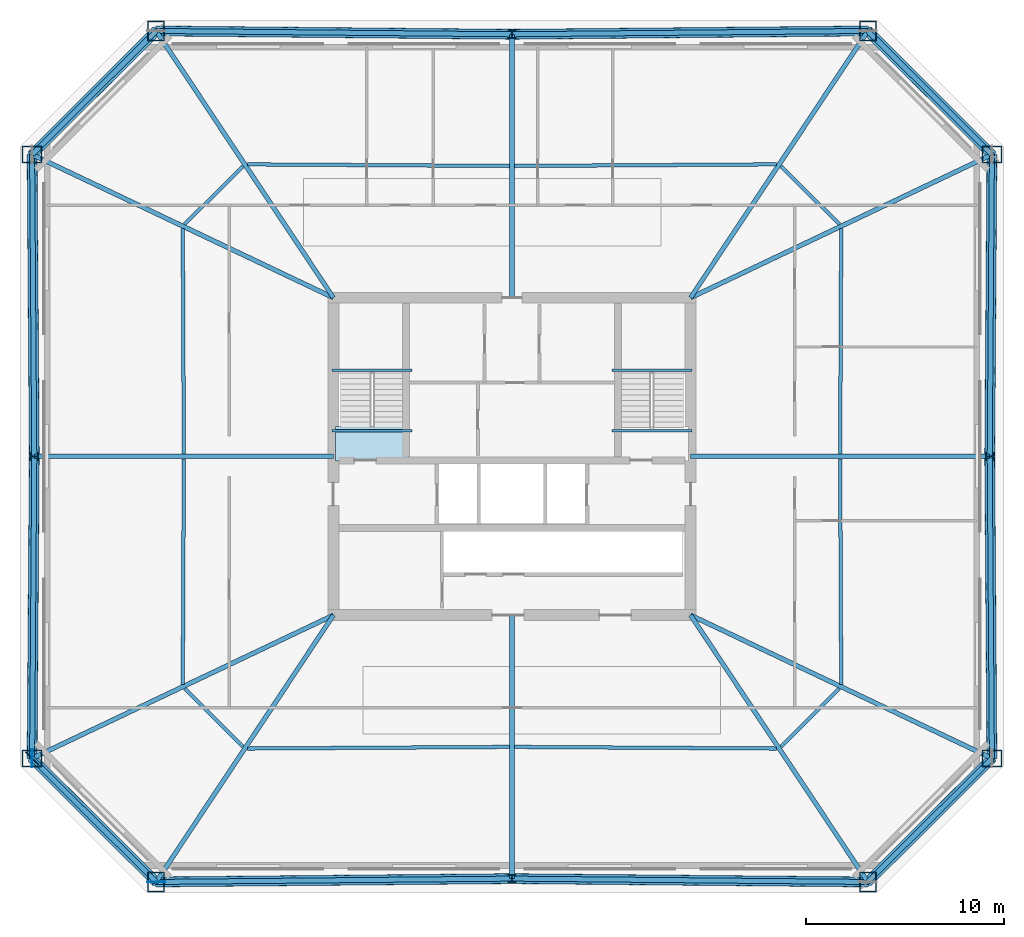
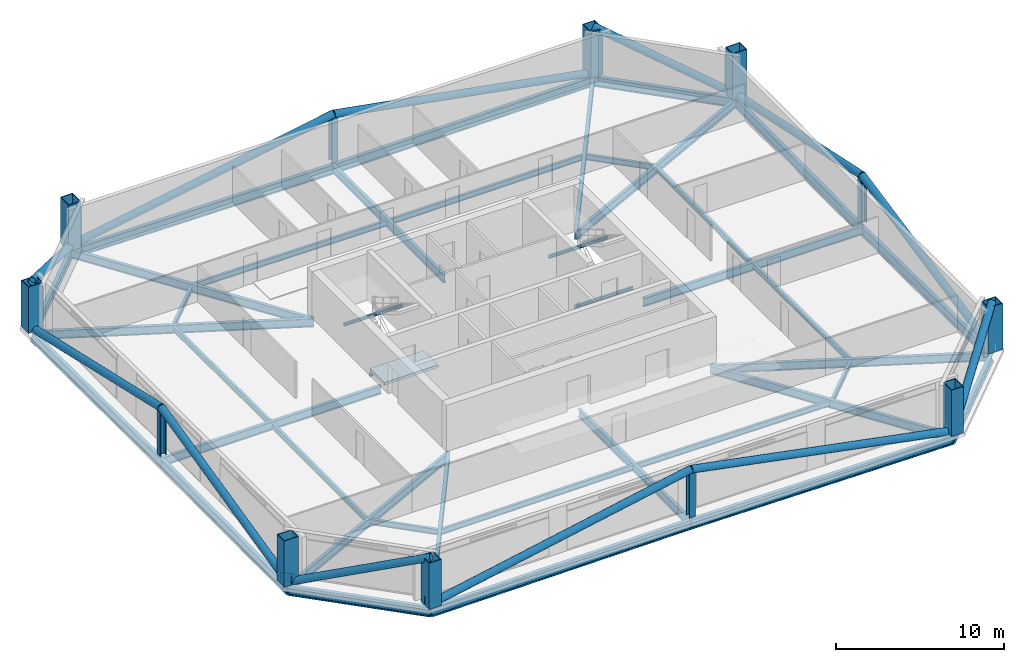
# One storey, part 1 of 6: 40 beams, 12 columns, 12 members, 3 plates, 1 slab, 1 element without a shape of its own.
"""IFC4 building model written with IfcOpenShell, lengths in metres."""

from ifc_helpers import new_model, si_unit, direction, frame, origin, origin_2d, place, context, subcontext, project, spatial, polyline, rectangle, hollow_rectangle, hollow_circle, i_section, outline, extrude, material, layer, layer_set, material_profile, profile_set, type_object, element, aggregate, save


model = new_model("IFC4")

# Units and contexts
model_context = context("Model", 3, precision=1e-05, world=origin(), true_north=direction((0.0, 1.0)))
body_context = subcontext(model_context, "Body", "Model", "MODEL_VIEW")
ifc_project = project(units=[si_unit("LENGTHUNIT", "METRE"), si_unit("AREAUNIT", "SQUARE_METRE"), si_unit("VOLUMEUNIT", "CUBIC_METRE"), si_unit("PLANEANGLEUNIT", "RADIAN"), si_unit("MASSUNIT", "GRAM", prefix="KILO")], contexts=[model_context])

# Site, building, storey
site_placement = place(None, origin())
site = spatial("IfcSite", under=ifc_project, at=site_placement, CompositionType="ELEMENT")
building_placement = place(site_placement, origin())
building = spatial("IfcBuilding", under=site, at=building_placement, Name="Caelvoria Tower", CompositionType="ELEMENT")
storey_placement = place(building_placement, frame((0.0, 0.0, 160.0)))
storey = spatial("IfcBuildingStorey", under=building, at=storey_placement, Name="L42", CompositionType="ELEMENT", Elevation=160.0)

# Columns
ifc_material_1 = material(Name="Structural Steel ASTM A572 Gr.50", Category="steel")
ifc_material_profile_1 = material_profile(ifc_material_1, hollow_rectangle(XDim=0.85009765625, YDim=1.0, WallThickness=0.050048828125, at=origin_2d()), Name="Structural Steel ASTM A572 Gr.50")
ifc_profile_set_1 = profile_set([ifc_material_profile_1], Name="BOX1000X850X50 - Structural Steel ASTM A572 Gr.50")
column_type_1 = type_object("IfcColumnType", Name="Mega Box Column 1000x850x50", PredefinedType="COLUMN", material=ifc_profile_set_1)
for number, where, z_axis, x_axis, name in (
    (1, (28.06201171875, 10.55224609375, 0.0), (0.0, 0.0, 1.0), (1.0, 0.0, 0.0), "Perimeter Megaframe Column L42-P00"),
    (2, (63.93798828125, 10.55224609375, 0.0), (0.0, 0.0, 1.0), (1.0, 0.0, 0.0), "Perimeter Megaframe Column L42-P02"),
    (3, (70.1904296875, 16.783447265625, 0.0), (0.0, 0.0, 1.0), (0.0, 1.0, 0.0), "Perimeter Megaframe Column L42-P03"),
    (4, (70.1904296875, 47.216552734375, 0.0), (0.0, 0.0, 1.0), (0.0, 1.0, 0.0), "Perimeter Megaframe Column L42-P05"),
    (5, (63.93798828125, 53.44775390625, 0.0), (0.0, 0.0, 1.0), (1.0, 0.0, 0.0), "Perimeter Megaframe Column L42-P06"),
    (6, (28.06201171875, 53.44775390625, 0.0), (0.0, 0.0, 1.0), (1.0, 0.0, 0.0), "Perimeter Megaframe Column L42-P08"),
    (7, (21.8095703125, 47.216552734375, 0.0), (0.0, 0.0, 1.0), (0.0, 1.0, 0.0), "Perimeter Megaframe Column L42-P09"),
    (8, (21.8095703125, 16.783447265625, 0.0), (0.0, 0.0, 1.0), (0.0, 1.0, 0.0), "Perimeter Megaframe Column L42-P11"),
):
    element("IfcColumn", number, at=place(storey_placement, frame(where, z_axis=z_axis, x_axis=x_axis)), inside=storey, type_object=column_type_1, Name=name, PredefinedType="COLUMN", context=body_context, shape_type="SweptSolid", body=[
        extrude(hollow_rectangle(XDim=0.85009765625, YDim=1.0, WallThickness=0.050048828125, at=origin_2d()), origin(), (0.0, 0.0, 1.0), 3.35791015625),
    ])
ifc_material_2 = material(Name="Structural Steel ASTM A992 Gr.50", Category="steel")
ifc_material_profile_2 = material_profile(ifc_material_2, i_section(OverallWidth=0.406005859375, OverallDepth=0.425048828125, WebThickness=0.03271484375, FlangeThickness=0.052490234375, FilletRadius=0.02490234375, at=origin_2d()), Name="Structural Steel ASTM A992 Gr.50")
ifc_profile_set_2 = profile_set([ifc_material_profile_2], Name="W360X421 - Structural Steel ASTM A992 Gr.50")
column_type_2 = type_object("IfcColumnType", Name="Mid Frame Column W360X421", PredefinedType="COLUMN", material=ifc_profile_set_2)
for number, where, z_axis, x_axis, name in (
    (9, (46.0, 10.719970703125, 0.0), (0.0, 0.0, 1.0), (1.0, 0.0, 0.0), "Perimeter Megaframe Column L42-P01"),
    (10, (70.080078125, 32.0, 0.0), (0.0, 0.0, 1.0), (0.0, 1.0, 0.0), "Perimeter Megaframe Column L42-P04"),
    (11, (46.0, 53.280029296875, 0.0), (0.0, 0.0, 1.0), (1.0, 0.0, 0.0), "Perimeter Megaframe Column L42-P07"),
    (12, (21.919921875, 32.0, 0.0), (0.0, 0.0, 1.0), (0.0, 1.0, 0.0), "Perimeter Megaframe Column L42-P10"),
):
    element("IfcColumn", number, at=place(storey_placement, frame(where, z_axis=z_axis, x_axis=x_axis)), inside=storey, type_object=column_type_2, Name=name, PredefinedType="COLUMN", context=body_context, shape_type="SweptSolid", body=[
        extrude(i_section(OverallWidth=0.406005859375, OverallDepth=0.425048828125, WebThickness=0.03271484375, FlangeThickness=0.052490234375, FilletRadius=0.02490234375, at=origin_2d()), origin(), (0.0, 0.0, 1.0), 3.35791015625),
    ])

# Beams
ifc_material_profile_3 = material_profile(ifc_material_2, i_section(OverallWidth=0.134033203125, OverallDepth=0.2099609375, WebThickness=0.00634765625, FlangeThickness=0.01025390625, FilletRadius=0.010009765625, at=origin_2d()), Name="Structural Steel ASTM A992 Gr.50")
ifc_profile_set_3 = profile_set([ifc_material_profile_3], Name="W200X31.3 - Structural Steel ASTM A992 Gr.50")
beam_type_1 = type_object("IfcBeamType", Name="Canopy Edge Trim Beam W200X31.3", PredefinedType="BEAM", material=ifc_profile_set_3)
for number, where, z_axis, x_axis, name in (
    (13, (36.929931640625, 36.35009765625, 1.4951171875), (1.0, 0.0, 0.0), (0.0, 1.0, 0.0), "ST-01 Half-Landing Support Beam L42"),
    (14, (36.929931640625, 33.300048828125, -0.304931640625), (1.0, 0.0, 0.0), (0.0, 1.0, 0.0), "ST-01 Floor-Landing Support Beam L42"),
    (15, (51.030029296875, 36.35009765625, 1.4951171875), (1.0, 0.0, 0.0), (0.0, 1.0, 0.0), "ST-02 Half-Landing Support Beam L42"),
    (16, (51.030029296875, 33.300048828125, -0.304931640625), (1.0, 0.0, 0.0), (0.0, 1.0, 0.0), "ST-02 Floor-Landing Support Beam L42"),
):
    element("IfcBeam", number, at=place(storey_placement, frame(where, z_axis=z_axis, x_axis=x_axis)), inside=storey, type_object=beam_type_1, Name=name, PredefinedType="BEAM", context=body_context, shape_type="SweptSolid", body=[
        extrude(i_section(OverallWidth=0.134033203125, OverallDepth=0.2099609375, WebThickness=0.00634765625, FlangeThickness=0.01025390625, FilletRadius=0.010009765625, at=origin_2d()), origin(), (0.0, 0.0, 1.0), 4.0400390625),
    ])

# Members
ifc_material_profile_4 = material_profile(ifc_material_1, hollow_circle(Radius=0.25390625, WallThickness=0.02001953125, at=origin_2d()), Name="Structural Steel ASTM A572 Gr.50")
ifc_profile_set_4 = profile_set([ifc_material_profile_4], Name="CHS508X20 - Structural Steel ASTM A572 Gr.50")
member_type = type_object("IfcMemberType", Name="Mid Perimeter Mega Brace CHS508X20", PredefinedType="BRACE", material=ifc_profile_set_4)
for number, where, z_axis, x_axis, name in (
    (17, (63.93798828125, 10.55224609375, 0.0), (0.66197243748, 0.659723643959, 0.355748795667), (-0.705902655948, 0.708308859415, 0.0), "Perimeter Chamfer Mega Brace L42 SE"),
    (18, (70.1904296875, 47.216552734375, 0.0), (-0.66197243748, 0.659723643959, 0.355748795667), (-0.705902655948, -0.708308859415, 0.0), "Perimeter Chamfer Mega Brace L42 NE"),
    (19, (28.06201171875, 53.44775390625, 0.0), (-0.66197243748, -0.659723643959, 0.355748795667), (0.705902655948, -0.708308859415, 0.0), "Perimeter Chamfer Mega Brace L42 NW"),
    (20, (21.8095703125, 16.783447265625, 0.0), (0.66197243748, -0.659723643959, 0.355748795667), (0.705902655948, 0.708308859415, 0.0), "Perimeter Chamfer Mega Brace L42 SW"),
):
    element("IfcMember", number, at=place(storey_placement, frame(where, z_axis=z_axis, x_axis=x_axis)), inside=storey, type_object=member_type, Name=name, PredefinedType="BRACE", context=body_context, shape_type="SweptSolid", body=[
        extrude(hollow_circle(Radius=0.25390625, WallThickness=0.02001953125, at=origin_2d()), origin(), (0.0, 0.0, 1.0), 9.445068359375),
    ])
for number, where, z_axis, x_axis, name in (
    (21, (28.06201171875, 10.55224609375, 0.0), (0.982863073698, 0.009190011863, 0.184107908693), (-0.00934983764, 0.999956289313, 0.0), "Perimeter Cardinal Mega Brace L42 SA"),
    (22, (63.93798828125, 10.55224609375, 0.0), (-0.982863073698, 0.009190011863, 0.184107908693), (-0.00934983764, -0.999956289313, 0.0), "Perimeter Cardinal Mega Brace L42 SB"),
):
    element("IfcMember", number, at=place(storey_placement, frame(where, z_axis=z_axis, x_axis=x_axis)), inside=storey, type_object=member_type, Name=name, PredefinedType="BRACE", context=body_context, shape_type="SweptSolid", body=[
        extrude(hollow_circle(Radius=0.25390625, WallThickness=0.02001953125, at=origin_2d()), origin(), (0.0, 0.0, 1.0), 18.250732421875),
    ])
for number, where, z_axis, x_axis, name in (
    (23, (70.1904296875, 16.783447265625, 0.0), (-0.007081300602, 0.97645182002, 0.215619336707), (-0.99997370475, -0.007251883045, 0.0), "Perimeter Cardinal Mega Brace L42 EA"),
    (24, (70.1904296875, 47.216552734375, 0.0), (-0.007081300602, -0.97645182002, 0.215619336707), (0.99997370475, -0.007251883045, 0.0), "Perimeter Cardinal Mega Brace L42 EB"),
):
    element("IfcMember", number, at=place(storey_placement, frame(where, z_axis=z_axis, x_axis=x_axis)), inside=storey, type_object=member_type, Name=name, PredefinedType="BRACE", context=body_context, shape_type="SweptSolid", body=[
        extrude(hollow_circle(Radius=0.25390625, WallThickness=0.02001953125, at=origin_2d()), origin(), (0.0, 0.0, 1.0), 15.58349609375),
    ])
for number, where, z_axis, x_axis, name in (
    (25, (63.93798828125, 53.44775390625, 0.0), (-0.982863073698, -0.009190011863, 0.184107908693), (0.00934983764, -0.999956289313, 0.0), "Perimeter Cardinal Mega Brace L42 NA"),
    (26, (28.06201171875, 53.44775390625, 0.0), (0.982863073698, -0.009190011863, 0.184107908693), (0.00934983764, 0.999956289313, 0.0), "Perimeter Cardinal Mega Brace L42 NB"),
):
    element("IfcMember", number, at=place(storey_placement, frame(where, z_axis=z_axis, x_axis=x_axis)), inside=storey, type_object=member_type, Name=name, PredefinedType="BRACE", context=body_context, shape_type="SweptSolid", body=[
        extrude(hollow_circle(Radius=0.25390625, WallThickness=0.02001953125, at=origin_2d()), origin(), (0.0, 0.0, 1.0), 18.250732421875),
    ])
for number, where, z_axis, x_axis, name in (
    (27, (21.8095703125, 47.216552734375, 0.0), (0.007081300602, -0.97645182002, 0.215619336707), (0.99997370475, 0.007251883045, 0.0), "Perimeter Cardinal Mega Brace L42 WA"),
    (28, (21.8095703125, 16.783447265625, 0.0), (0.007081300602, 0.97645182002, 0.215619336707), (-0.99997370475, 0.007251883045, 0.0), "Perimeter Cardinal Mega Brace L42 WB"),
):
    element("IfcMember", number, at=place(storey_placement, frame(where, z_axis=z_axis, x_axis=x_axis)), inside=storey, type_object=member_type, Name=name, PredefinedType="BRACE", context=body_context, shape_type="SweptSolid", body=[
        extrude(hollow_circle(Radius=0.25390625, WallThickness=0.02001953125, at=origin_2d()), origin(), (0.0, 0.0, 1.0), 15.58349609375),
    ])

# Beams
ifc_material_profile_5 = material_profile(ifc_material_2, i_section(OverallWidth=0.25390625, OverallDepth=0.68798828125, WebThickness=0.01318359375, FlangeThickness=0.02099609375, FilletRadius=0.01904296875, at=origin_2d()), Name="Structural Steel ASTM A992 Gr.50")
ifc_profile_set_5 = profile_set([ifc_material_profile_5], Name="W690X152 - Structural Steel ASTM A992 Gr.50")
beam_type_2 = type_object("IfcBeamType", Name="Perimeter Spandrel Girder W690X152", PredefinedType="BEAM", material=ifc_profile_set_5)
for number, where, z_axis, x_axis, name in (
    (29, (28.06201171875, 10.55224609375, -0.583984375), (0.999956289313, 0.00934983764, 0.0), (-0.00934983764, 0.999956289313, 0.0), "Perimeter Spandrel Girder L42-00"),
    (30, (46.0, 10.719970703125, -0.583984375), (0.999956289313, -0.00934983764, 0.0), (0.00934983764, 0.999956289313, 0.0), "Perimeter Spandrel Girder L42-01"),
):
    element("IfcBeam", number, at=place(storey_placement, frame(where, z_axis=z_axis, x_axis=x_axis)), inside=storey, type_object=beam_type_2, Name=name, PredefinedType="BEAM", context=body_context, shape_type="SweptSolid", body=[
        extrude(i_section(OverallWidth=0.25390625, OverallDepth=0.68798828125, WebThickness=0.01318359375, FlangeThickness=0.02099609375, FilletRadius=0.01904296875, at=origin_2d()), origin(), (0.0, 0.0, 1.0), 17.938720703125),
    ])
beam_1_placement = place(storey_placement, frame((63.93798828125, 10.55224609375, -0.583984375), z_axis=(0.708308859415, 0.705902655948, 0.0), x_axis=(-0.705902655948, 0.708308859415, 0.0)))
element("IfcBeam", 31, at=beam_1_placement, inside=storey, type_object=beam_type_2, Name="Perimeter Spandrel Girder L42-02", PredefinedType="BEAM", context=body_context, shape_type="SweptSolid", body=[
    extrude(i_section(OverallWidth=0.25390625, OverallDepth=0.68798828125, WebThickness=0.01318359375, FlangeThickness=0.02099609375, FilletRadius=0.01904296875, at=origin_2d()), origin(), (0.0, 0.0, 1.0), 8.827392578125),
])
for number, where, z_axis, x_axis, name in (
    (32, (70.1904296875, 16.783447265625, -0.583984375), (-0.007251883045, 0.99997370475, 0.0), (-0.99997370475, -0.007251883045, 0.0), "Perimeter Spandrel Girder L42-03"),
    (33, (70.080078125, 32.0, -0.583984375), (0.007251883045, 0.99997370475, 0.0), (-0.99997370475, 0.007251883045, 0.0), "Perimeter Spandrel Girder L42-04"),
):
    element("IfcBeam", number, at=place(storey_placement, frame(where, z_axis=z_axis, x_axis=x_axis)), inside=storey, type_object=beam_type_2, Name=name, PredefinedType="BEAM", context=body_context, shape_type="SweptSolid", body=[
        extrude(i_section(OverallWidth=0.25390625, OverallDepth=0.68798828125, WebThickness=0.01318359375, FlangeThickness=0.02099609375, FilletRadius=0.01904296875, at=origin_2d()), origin(), (0.0, 0.0, 1.0), 15.217041015625),
    ])
beam_2_placement = place(storey_placement, frame((70.1904296875, 47.216552734375, -0.583984375), z_axis=(-0.708308859415, 0.705902655948, 0.0), x_axis=(-0.705902655948, -0.708308859415, 0.0)))
element("IfcBeam", 34, at=beam_2_placement, inside=storey, type_object=beam_type_2, Name="Perimeter Spandrel Girder L42-05", PredefinedType="BEAM", context=body_context, shape_type="SweptSolid", body=[
    extrude(i_section(OverallWidth=0.25390625, OverallDepth=0.68798828125, WebThickness=0.01318359375, FlangeThickness=0.02099609375, FilletRadius=0.01904296875, at=origin_2d()), origin(), (0.0, 0.0, 1.0), 8.827392578125),
])
for number, where, z_axis, x_axis, name in (
    (35, (63.93798828125, 53.44775390625, -0.583984375), (-0.999956289313, -0.00934983764, 0.0), (0.00934983764, -0.999956289313, 0.0), "Perimeter Spandrel Girder L42-06"),
    (36, (46.0, 53.280029296875, -0.583984375), (-0.999956289313, 0.00934983764, 0.0), (-0.00934983764, -0.999956289313, 0.0), "Perimeter Spandrel Girder L42-07"),
):
    element("IfcBeam", number, at=place(storey_placement, frame(where, z_axis=z_axis, x_axis=x_axis)), inside=storey, type_object=beam_type_2, Name=name, PredefinedType="BEAM", context=body_context, shape_type="SweptSolid", body=[
        extrude(i_section(OverallWidth=0.25390625, OverallDepth=0.68798828125, WebThickness=0.01318359375, FlangeThickness=0.02099609375, FilletRadius=0.01904296875, at=origin_2d()), origin(), (0.0, 0.0, 1.0), 17.938720703125),
    ])
beam_3_placement = place(storey_placement, frame((28.06201171875, 53.44775390625, -0.583984375), z_axis=(-0.708308859415, -0.705902655948, 0.0), x_axis=(0.705902655948, -0.708308859415, 0.0)))
element("IfcBeam", 37, at=beam_3_placement, inside=storey, type_object=beam_type_2, Name="Perimeter Spandrel Girder L42-08", PredefinedType="BEAM", context=body_context, shape_type="SweptSolid", body=[
    extrude(i_section(OverallWidth=0.25390625, OverallDepth=0.68798828125, WebThickness=0.01318359375, FlangeThickness=0.02099609375, FilletRadius=0.01904296875, at=origin_2d()), origin(), (0.0, 0.0, 1.0), 8.827392578125),
])
for number, where, z_axis, x_axis, name in (
    (38, (21.8095703125, 47.216552734375, -0.583984375), (0.007251883045, -0.99997370475, 0.0), (0.99997370475, 0.007251883045, 0.0), "Perimeter Spandrel Girder L42-09"),
    (39, (21.919921875, 32.0, -0.583984375), (-0.007251883045, -0.99997370475, 0.0), (0.99997370475, -0.007251883045, 0.0), "Perimeter Spandrel Girder L42-10"),
):
    element("IfcBeam", number, at=place(storey_placement, frame(where, z_axis=z_axis, x_axis=x_axis)), inside=storey, type_object=beam_type_2, Name=name, PredefinedType="BEAM", context=body_context, shape_type="SweptSolid", body=[
        extrude(i_section(OverallWidth=0.25390625, OverallDepth=0.68798828125, WebThickness=0.01318359375, FlangeThickness=0.02099609375, FilletRadius=0.01904296875, at=origin_2d()), origin(), (0.0, 0.0, 1.0), 15.217041015625),
    ])
beam_4_placement = place(storey_placement, frame((21.8095703125, 16.783447265625, -0.583984375), z_axis=(0.708308859415, -0.705902655948, 0.0), x_axis=(0.705902655948, 0.708308859415, 0.0)))
element("IfcBeam", 40, at=beam_4_placement, inside=storey, type_object=beam_type_2, Name="Perimeter Spandrel Girder L42-11", PredefinedType="BEAM", context=body_context, shape_type="SweptSolid", body=[
    extrude(i_section(OverallWidth=0.25390625, OverallDepth=0.68798828125, WebThickness=0.01318359375, FlangeThickness=0.02099609375, FilletRadius=0.01904296875, at=origin_2d()), origin(), (0.0, 0.0, 1.0), 8.827392578125),
])
ifc_material_profile_6 = material_profile(ifc_material_2, i_section(OverallWidth=0.22802734375, OverallDepth=0.60302734375, WebThickness=0.010498046875, FlangeThickness=0.014892578125, FilletRadius=0.01806640625, at=origin_2d()), Name="Structural Steel ASTM A992 Gr.50")
ifc_profile_set_6 = profile_set([ifc_material_profile_6], Name="W610X101 - Structural Steel ASTM A992 Gr.50")
beam_type_3 = type_object("IfcBeamType", Name="Primary Floor Girder W610X101", PredefinedType="BEAM", material=ifc_profile_set_6)
beam_5_placement = place(storey_placement, frame((37.0, 24.0, -0.54150390625), z_axis=(-0.553534267867, -0.832826401056, 0.0), x_axis=(0.832826401056, -0.553534267867, 0.0)))
element("IfcBeam", 41, at=beam_5_placement, inside=storey, type_object=beam_type_3, Name="Primary Floor Girder L42-00", PredefinedType="BEAM", context=body_context, shape_type="SweptSolid", body=[
    extrude(i_section(OverallWidth=0.22802734375, OverallDepth=0.60302734375, WebThickness=0.010498046875, FlangeThickness=0.014892578125, FilletRadius=0.01806640625, at=origin_2d()), origin(), (0.0, 0.0, 1.0), 16.147216796875),
])
beam_6_placement = place(storey_placement, frame((46.0, 24.0, -0.54150390625), z_axis=(0.0, -1.0, 0.0), x_axis=(1.0, 0.0, 0.0)))
element("IfcBeam", 42, at=beam_6_placement, inside=storey, type_object=beam_type_3, Name="Primary Floor Girder L42-01", PredefinedType="BEAM", context=body_context, shape_type="SweptSolid", body=[
    extrude(i_section(OverallWidth=0.22802734375, OverallDepth=0.60302734375, WebThickness=0.010498046875, FlangeThickness=0.014892578125, FilletRadius=0.01806640625, at=origin_2d()), origin(), (0.0, 0.0, 1.0), 13.280029296875),
])
beam_7_placement = place(storey_placement, frame((55.0, 24.0, -0.54150390625), z_axis=(0.553534267867, -0.832826401056, 0.0), x_axis=(0.832826401056, 0.553534267867, 0.0)))
element("IfcBeam", 43, at=beam_7_placement, inside=storey, type_object=beam_type_3, Name="Primary Floor Girder L42-02", PredefinedType="BEAM", context=body_context, shape_type="SweptSolid", body=[
    extrude(i_section(OverallWidth=0.22802734375, OverallDepth=0.60302734375, WebThickness=0.010498046875, FlangeThickness=0.014892578125, FilletRadius=0.01806640625, at=origin_2d()), origin(), (0.0, 0.0, 1.0), 16.147216796875),
])
beam_8_placement = place(storey_placement, frame((55.0, 24.0, -0.54150390625), z_axis=(0.903252184891, -0.429110114645, 0.0), x_axis=(0.429110114645, 0.903252184891, 0.0)))
element("IfcBeam", 44, at=beam_8_placement, inside=storey, type_object=beam_type_3, Name="Primary Floor Girder L42-03", PredefinedType="BEAM", context=body_context, shape_type="SweptSolid", body=[
    extrude(i_section(OverallWidth=0.22802734375, OverallDepth=0.60302734375, WebThickness=0.010498046875, FlangeThickness=0.014892578125, FilletRadius=0.01806640625, at=origin_2d()), origin(), (0.0, 0.0, 1.0), 16.8173828125),
])
beam_9_placement = place(storey_placement, frame((55.0, 32.0, -0.54150390625), z_axis=(1.0, 0.0, 0.0), x_axis=(0.0, 1.0, 0.0)))
element("IfcBeam", 45, at=beam_9_placement, inside=storey, type_object=beam_type_3, Name="Primary Floor Girder L42-04", PredefinedType="BEAM", context=body_context, shape_type="SweptSolid", body=[
    extrude(i_section(OverallWidth=0.22802734375, OverallDepth=0.60302734375, WebThickness=0.010498046875, FlangeThickness=0.014892578125, FilletRadius=0.01806640625, at=origin_2d()), origin(), (0.0, 0.0, 1.0), 15.080078125),
])
beam_10_placement = place(storey_placement, frame((55.0, 40.0, -0.54150390625), z_axis=(0.903252184891, 0.429110114645, 0.0), x_axis=(-0.429110114645, 0.903252184891, 0.0)))
element("IfcBeam", 46, at=beam_10_placement, inside=storey, type_object=beam_type_3, Name="Primary Floor Girder L42-05", PredefinedType="BEAM", context=body_context, shape_type="SweptSolid", body=[
    extrude(i_section(OverallWidth=0.22802734375, OverallDepth=0.60302734375, WebThickness=0.010498046875, FlangeThickness=0.014892578125, FilletRadius=0.01806640625, at=origin_2d()), origin(), (0.0, 0.0, 1.0), 16.8173828125),
])
beam_11_placement = place(storey_placement, frame((55.0, 40.0, -0.54150390625), z_axis=(0.553534267867, 0.832826401056, 0.0), x_axis=(-0.832826401056, 0.553534267867, 0.0)))
element("IfcBeam", 47, at=beam_11_placement, inside=storey, type_object=beam_type_3, Name="Primary Floor Girder L42-06", PredefinedType="BEAM", context=body_context, shape_type="SweptSolid", body=[
    extrude(i_section(OverallWidth=0.22802734375, OverallDepth=0.60302734375, WebThickness=0.010498046875, FlangeThickness=0.014892578125, FilletRadius=0.01806640625, at=origin_2d()), origin(), (0.0, 0.0, 1.0), 16.147216796875),
])
beam_12_placement = place(storey_placement, frame((46.0, 40.0, -0.54150390625), z_axis=(0.0, 1.0, 0.0), x_axis=(-1.0, 0.0, 0.0)))
element("IfcBeam", 48, at=beam_12_placement, inside=storey, type_object=beam_type_3, Name="Primary Floor Girder L42-07", PredefinedType="BEAM", context=body_context, shape_type="SweptSolid", body=[
    extrude(i_section(OverallWidth=0.22802734375, OverallDepth=0.60302734375, WebThickness=0.010498046875, FlangeThickness=0.014892578125, FilletRadius=0.01806640625, at=origin_2d()), origin(), (0.0, 0.0, 1.0), 13.280029296875),
])
beam_13_placement = place(storey_placement, frame((37.0, 40.0, -0.54150390625), z_axis=(-0.553534267867, 0.832826401056, 0.0), x_axis=(-0.832826401056, -0.553534267867, 0.0)))
element("IfcBeam", 49, at=beam_13_placement, inside=storey, type_object=beam_type_3, Name="Primary Floor Girder L42-08", PredefinedType="BEAM", context=body_context, shape_type="SweptSolid", body=[
    extrude(i_section(OverallWidth=0.22802734375, OverallDepth=0.60302734375, WebThickness=0.010498046875, FlangeThickness=0.014892578125, FilletRadius=0.01806640625, at=origin_2d()), origin(), (0.0, 0.0, 1.0), 16.147216796875),
])
beam_14_placement = place(storey_placement, frame((37.0, 40.0, -0.54150390625), z_axis=(-0.903252184891, 0.429110114645, 0.0), x_axis=(-0.429110114645, -0.903252184891, 0.0)))
element("IfcBeam", 50, at=beam_14_placement, inside=storey, type_object=beam_type_3, Name="Primary Floor Girder L42-09", PredefinedType="BEAM", context=body_context, shape_type="SweptSolid", body=[
    extrude(i_section(OverallWidth=0.22802734375, OverallDepth=0.60302734375, WebThickness=0.010498046875, FlangeThickness=0.014892578125, FilletRadius=0.01806640625, at=origin_2d()), origin(), (0.0, 0.0, 1.0), 16.8173828125),
])
beam_15_placement = place(storey_placement, frame((37.0, 32.0, -0.54150390625), z_axis=(-1.0, 0.0, 0.0), x_axis=(0.0, -1.0, 0.0)))
element("IfcBeam", 51, at=beam_15_placement, inside=storey, type_object=beam_type_3, Name="Primary Floor Girder L42-10", PredefinedType="BEAM", context=body_context, shape_type="SweptSolid", body=[
    extrude(i_section(OverallWidth=0.22802734375, OverallDepth=0.60302734375, WebThickness=0.010498046875, FlangeThickness=0.014892578125, FilletRadius=0.01806640625, at=origin_2d()), origin(), (0.0, 0.0, 1.0), 15.080078125),
])
beam_16_placement = place(storey_placement, frame((37.0, 24.0, -0.54150390625), z_axis=(-0.903252184891, -0.429110114645, 0.0), x_axis=(0.429110114645, -0.903252184891, 0.0)))
element("IfcBeam", 52, at=beam_16_placement, inside=storey, type_object=beam_type_3, Name="Primary Floor Girder L42-11", PredefinedType="BEAM", context=body_context, shape_type="SweptSolid", body=[
    extrude(i_section(OverallWidth=0.22802734375, OverallDepth=0.60302734375, WebThickness=0.010498046875, FlangeThickness=0.014892578125, FilletRadius=0.01806640625, at=origin_2d()), origin(), (0.0, 0.0, 1.0), 16.8173828125),
])
ifc_material_profile_7 = material_profile(ifc_material_2, i_section(OverallWidth=0.177978515625, OverallDepth=0.406982421875, WebThickness=0.0078125, FlangeThickness=0.0126953125, FilletRadius=0.013916015625, at=origin_2d()), Name="Structural Steel ASTM A992 Gr.50")
ifc_profile_set_7 = profile_set([ifc_material_profile_7], Name="W410X60 - Structural Steel ASTM A992 Gr.50")
beam_type_4 = type_object("IfcBeamType", Name="Secondary Floor Beam W410X60", PredefinedType="BEAM", material=ifc_profile_set_7)
for number, where, z_axis, x_axis, name in (
    (53, (32.656005859375, 17.277099609375, -0.443603515625), (0.999980746074, 0.006205439665, 0.0), (-0.006205439665, 0.999980746074, 0.0), "Secondary Floor Beam L42-00"),
    (54, (46.125, 17.359130859375, -0.443603515625), (0.999980746074, -0.006205439665, 0.0), (0.006205439665, 0.999980746074, 0.0), "Secondary Floor Beam L42-01"),
):
    element("IfcBeam", number, at=place(storey_placement, frame(where, z_axis=z_axis, x_axis=x_axis)), inside=storey, type_object=beam_type_4, Name=name, PredefinedType="BEAM", context=body_context, shape_type="SweptSolid", body=[
        extrude(i_section(OverallWidth=0.177978515625, OverallDepth=0.406982421875, WebThickness=0.0078125, FlangeThickness=0.0126953125, FilletRadius=0.013916015625, at=origin_2d()), origin(), (0.0, 0.0, 1.0), 13.21923828125),
    ])
beam_17_placement = place(storey_placement, frame((59.5576171875, 17.364501953125, -0.443603515625), z_axis=(0.708337089703, 0.705874328299, 0.0), x_axis=(-0.705874328299, 0.708337089703, 0.0)))
element("IfcBeam", 55, at=beam_17_placement, inside=storey, type_object=beam_type_4, Name="Secondary Floor Beam L42-02", PredefinedType="BEAM", context=body_context, shape_type="SweptSolid", body=[
    extrude(i_section(OverallWidth=0.177978515625, OverallDepth=0.406982421875, WebThickness=0.0078125, FlangeThickness=0.0126953125, FilletRadius=0.013916015625, at=origin_2d()), origin(), (0.0, 0.0, 1.0), 4.16357421875),
])
for number, where, z_axis, x_axis, name in (
    (56, (62.5947265625, 20.5166015625, -0.443603515625), (-0.004771676396, 0.999988615487, 0.0), (-0.999988615487, -0.004771676396, 0.0), "Secondary Floor Beam L42-03"),
    (57, (62.54052734375, 32.125, -0.443603515625), (0.004771676396, 0.999988615487, 0.0), (-0.999988615487, 0.004771676396, 0.0), "Secondary Floor Beam L42-04"),
):
    element("IfcBeam", number, at=place(storey_placement, frame(where, z_axis=z_axis, x_axis=x_axis)), inside=storey, type_object=beam_type_4, Name=name, PredefinedType="BEAM", context=body_context, shape_type="SweptSolid", body=[
        extrude(i_section(OverallWidth=0.177978515625, OverallDepth=0.406982421875, WebThickness=0.0078125, FlangeThickness=0.0126953125, FilletRadius=0.013916015625, at=origin_2d()), origin(), (0.0, 0.0, 1.0), 11.358642578125),
    ])
beam_18_placement = place(storey_placement, frame((62.5068359375, 43.696533203125, -0.443603515625), z_axis=(-0.708337089703, 0.705874328299, 0.0), x_axis=(-0.705874328299, -0.708337089703, 0.0)))
element("IfcBeam", 58, at=beam_18_placement, inside=storey, type_object=beam_type_4, Name="Secondary Floor Beam L42-05", PredefinedType="BEAM", context=body_context, shape_type="SweptSolid", body=[
    extrude(i_section(OverallWidth=0.177978515625, OverallDepth=0.406982421875, WebThickness=0.0078125, FlangeThickness=0.0126953125, FilletRadius=0.013916015625, at=origin_2d()), origin(), (0.0, 0.0, 1.0), 4.16357421875),
])
for number, where, z_axis, x_axis, name in (
    (59, (59.343994140625, 46.722900390625, -0.443603515625), (-0.999980746074, -0.006205439665, 0.0), (0.006205439665, -0.999980746074, 0.0), "Secondary Floor Beam L42-06"),
    (60, (45.875, 46.640869140625, -0.443603515625), (-0.999980746074, 0.006205439665, 0.0), (-0.006205439665, -0.999980746074, 0.0), "Secondary Floor Beam L42-07"),
):
    element("IfcBeam", number, at=place(storey_placement, frame(where, z_axis=z_axis, x_axis=x_axis)), inside=storey, type_object=beam_type_4, Name=name, PredefinedType="BEAM", context=body_context, shape_type="SweptSolid", body=[
        extrude(i_section(OverallWidth=0.177978515625, OverallDepth=0.406982421875, WebThickness=0.0078125, FlangeThickness=0.0126953125, FilletRadius=0.013916015625, at=origin_2d()), origin(), (0.0, 0.0, 1.0), 13.21923828125),
    ])
beam_19_placement = place(storey_placement, frame((32.4423828125, 46.635498046875, -0.443603515625), z_axis=(-0.708337089703, -0.705874328299, 0.0), x_axis=(0.705874328299, -0.708337089703, 0.0)))
element("IfcBeam", 61, at=beam_19_placement, inside=storey, type_object=beam_type_4, Name="Secondary Floor Beam L42-08", PredefinedType="BEAM", context=body_context, shape_type="SweptSolid", body=[
    extrude(i_section(OverallWidth=0.177978515625, OverallDepth=0.406982421875, WebThickness=0.0078125, FlangeThickness=0.0126953125, FilletRadius=0.013916015625, at=origin_2d()), origin(), (0.0, 0.0, 1.0), 4.16357421875),
])
for number, where, z_axis, x_axis, name in (
    (62, (29.4052734375, 43.4833984375, -0.443603515625), (0.004771676396, -0.999988615487, 0.0), (0.999988615487, 0.004771676396, 0.0), "Secondary Floor Beam L42-09"),
    (63, (29.45947265625, 31.875, -0.443603515625), (-0.004771676396, -0.999988615487, 0.0), (0.999988615487, -0.004771676396, 0.0), "Secondary Floor Beam L42-10"),
):
    element("IfcBeam", number, at=place(storey_placement, frame(where, z_axis=z_axis, x_axis=x_axis)), inside=storey, type_object=beam_type_4, Name=name, PredefinedType="BEAM", context=body_context, shape_type="SweptSolid", body=[
        extrude(i_section(OverallWidth=0.177978515625, OverallDepth=0.406982421875, WebThickness=0.0078125, FlangeThickness=0.0126953125, FilletRadius=0.013916015625, at=origin_2d()), origin(), (0.0, 0.0, 1.0), 11.358642578125),
    ])
beam_20_placement = place(storey_placement, frame((29.4931640625, 20.303466796875, -0.443603515625), z_axis=(0.708337089703, -0.705874328299, 0.0), x_axis=(0.705874328299, 0.708337089703, 0.0)))
element("IfcBeam", 64, at=beam_20_placement, inside=storey, type_object=beam_type_4, Name="Secondary Floor Beam L42-11", PredefinedType="BEAM", context=body_context, shape_type="SweptSolid", body=[
    extrude(i_section(OverallWidth=0.177978515625, OverallDepth=0.406982421875, WebThickness=0.0078125, FlangeThickness=0.0126953125, FilletRadius=0.013916015625, at=origin_2d()), origin(), (0.0, 0.0, 1.0), 4.16357421875),
])

# Plates
ifc_layer_1 = layer(ifc_material_1, 0.0400390625, Name="Structural Steel ASTM A572 Gr.50")
ifc_layer_set_1 = layer_set([ifc_layer_1], Name="Megaframe Node Gusset Plate 900x600x40 - Structural Steel ASTM A572 Gr.50")
plate_type = type_object("IfcPlateType", Name="Megaframe Node Gusset Plate 900x600x40", PredefinedType="USERDEFINED", material=ifc_layer_set_1)
for number, where, z_axis, x_axis, name in (
    (65, (21.8095703125, 16.783447265625, 0.02001953125), (0.0, 0.0, 1.0), (0.70831273368, -0.705898768456, 0.0), "Chamfer Mega Brace Gusset L42 SW"),
    (66, (28.06201171875, 10.55224609375, 0.050048828125), (0.0, 0.0, 1.0), (0.999956307921, 0.009347847329, 0.0), "Megaframe Node Gusset Plate ND-01"),
    (67, (21.8095703125, 16.783447265625, 0.050048828125), (0.0, 0.0, 1.0), (0.00726225118, 0.999973629506, 0.0), "Megaframe Node Gusset Plate ND-01"),
):
    element("IfcPlate", number, at=place(storey_placement, frame(where, z_axis=z_axis, x_axis=x_axis)), inside=storey, type_object=plate_type, Name=name, ObjectType="GUSSET_PLATE", PredefinedType="USERDEFINED", context=body_context, shape_type="SweptSolid", body=[
        extrude(rectangle(XDim=0.89990234375, YDim=0.0400390625, at=origin_2d()), origin(), (0.0, 0.0, 1.0), 0.60009765625),
    ])

# Stair, slab
ifc_material_3 = material(Name="Concrete C40/50", Category="concrete")
stair_type = type_object("IfcStairType", Name="Core Smokeproof Dogleg Stair Concrete C40/50", PredefinedType="HALF_TURN_STAIR", material=ifc_material_3)
stair_placement = place(storey_placement, origin())
stair = element("IfcStair", 68, at=stair_placement, inside=storey, type_object=stair_type, Name="ST-01 Smokeproof Exit Stair L42", PredefinedType="HALF_TURN_STAIR")
ifc_layer_2 = layer(ifc_material_3, 0.199951171875, Name="Concrete C40/50")
ifc_layer_set_2 = layer_set([ifc_layer_2], Name="Stair Half and Floor Landing Slab 200 Concrete C40/50 - Concrete C40/50")
slab_type = type_object("IfcSlabType", Name="Stair Half and Floor Landing Slab 200 Concrete C40/50", PredefinedType="LANDING", material=ifc_layer_set_2)
slab_placement = place(storey_placement, frame((0.0, 0.0, -0.199951171875)))
slab = element("IfcSlab", 69, at=slab_placement, type_object=slab_type, Name="ST-01 landing 1", PredefinedType="LANDING", context=body_context, shape_type="SweptSolid", body=[
    extrude(outline(polyline([(37.10009765625, 31.77001953125), (40.800048828125, 31.77001953125), (40.800048828125, 33.5), (37.10009765625, 33.5), (37.10009765625, 31.77001953125)])), origin(), (0.0, 0.0, 1.0), 0.199951171875),
])
aggregate(stair, [slab])

save(model, "model.ifc")
